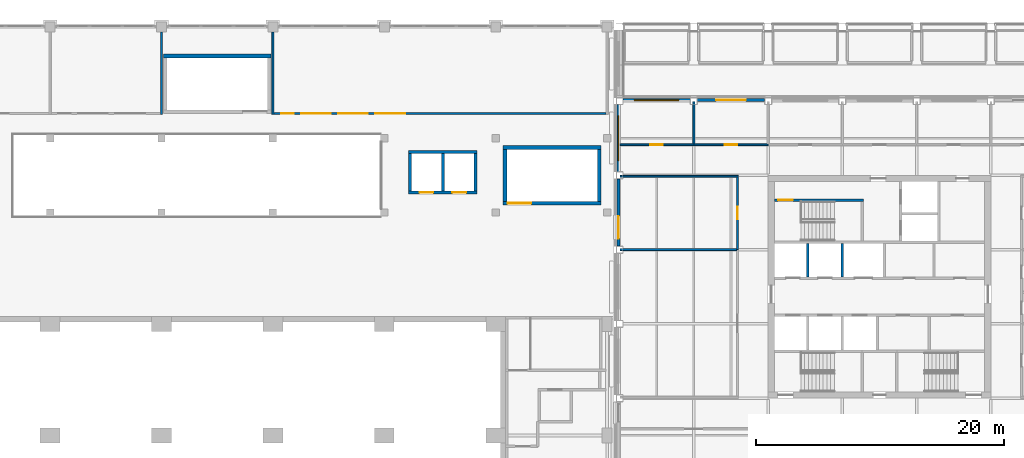
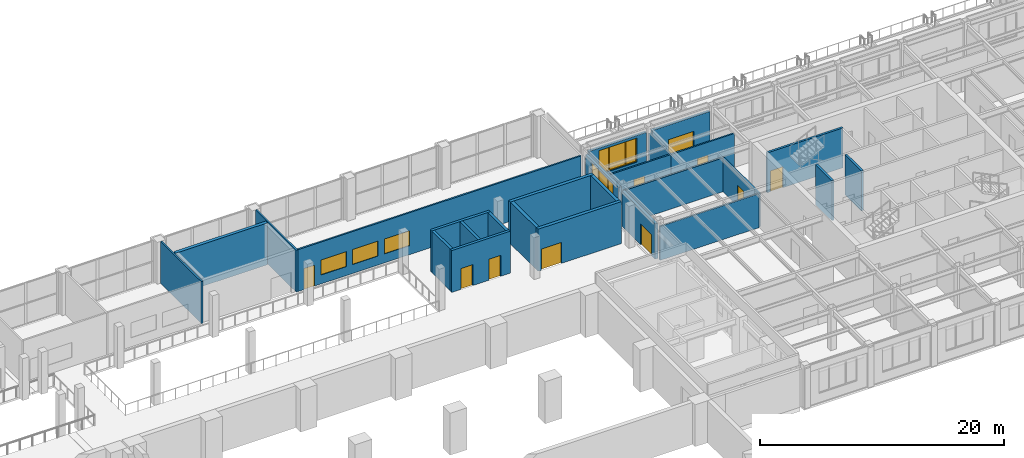
# One storey, part 24 of 39: 26 walls, 10 doors, 5 windows, 15 openings.
"""IFC4 building model written with IfcOpenShell, lengths in metres."""

from ifc_helpers import new_model, si_unit, direction, frame, frame_2d, origin, place, context, subcontext, project, spatial, polyline, rectangle, outline, extrude, material, layer, layer_set, type_object, element, fill, save


model = new_model("IFC4")

# Units and contexts
model_context = context("Model", 3, precision=1e-05, world=origin(), true_north=direction((0.0, 1.0)))
body_context = subcontext(model_context, "Body", "Model", "MODEL_VIEW")
ifc_project = project(units=[si_unit("LENGTHUNIT", "METRE"), si_unit("AREAUNIT", "SQUARE_METRE"), si_unit("VOLUMEUNIT", "CUBIC_METRE"), si_unit("PLANEANGLEUNIT", "RADIAN"), si_unit("MASSUNIT", "GRAM", prefix="KILO")], contexts=[model_context])

# Site, building, storey
site_placement = place(None, origin())
site = spatial("IfcSite", under=ifc_project, at=site_placement, CompositionType="ELEMENT")
building_placement = place(site_placement, origin())
building = spatial("IfcBuilding", under=site, at=building_placement, Name="Aravalli Gate Trade Fair Centre", CompositionType="ELEMENT")
storey_placement = place(building_placement, frame((0.0, 0.0, 15.0)))
storey = spatial("IfcBuildingStorey", under=building, at=storey_placement, Name="L03", CompositionType="ELEMENT", Elevation=15.0)

# Wall
ifc_material_1 = material(Name="Gypsum board")
ifc_layer_1 = layer(ifc_material_1, 0.02490234375, Name="Gypsum board lining")
ifc_material_2 = material(Name="Galvanised stud framing")
ifc_layer_2 = layer(ifc_material_2, 0.10009765625, Name="Stud framing")
ifc_layer_3 = layer(ifc_material_1, 0.02490234375, Name="Gypsum board lining")
ifc_layer_set_1 = layer_set([ifc_layer_1, ifc_layer_2, ifc_layer_3], Name="Partition wall 150")
wall_type_1 = type_object("IfcWallType", Name="Partition wall 150", PredefinedType="PARTITIONING", material=ifc_layer_set_1)
wall_1_placement = place(storey_placement, frame((123.0, 125.925048828125, 0.0), z_axis=(0.0, 0.0, 1.0), x_axis=(0.0, 1.0, 0.0)))
element("IfcWall", 1, at=wall_1_placement, inside=storey, type_object=wall_type_1, Name="Partition 12300 L03", PredefinedType="PARTITIONING", context=body_context, shape_type="SweptSolid", body=[
    extrude(rectangle(XDim=6.675048828125, YDim=0.14990234375, at=frame_2d((3.33740234375, 0.0))), origin(), (0.0, 0.0, 1.0), 4.199951171875),
])

# Wall, openings, windows, door
wall_2_placement = place(storey_placement, frame((132.074951171875, 126.0, 0.0), z_axis=(0.0, 0.0, 1.0), x_axis=(1.0, 0.0, 0.0)))
wall_2 = element("IfcWall", 2, at=wall_2_placement, inside=storey, type_object=wall_type_1, Name="Partition Organisers' Office south L03", PredefinedType="PARTITIONING", context=body_context, shape_type="SweptSolid", body=[
    extrude(rectangle(XDim=26.85009765625, YDim=0.14990234375, at=frame_2d((13.425048828125, 0.0))), origin(), (0.0, 0.0, 1.0), 4.199951171875),
])
opening_1_placement = place(wall_2_placement, frame((0.60009765625, 0.0, 0.0)))
opening_1 = element("IfcOpeningElement", 3, at=opening_1_placement, cuts=wall_2, Name="Opening C-L03-21", PredefinedType="OPENING", context=body_context, shape_type="SweptSolid", body=[
    extrude(rectangle(XDim=1.0, YDim=2.10009765625, at=frame_2d((0.5, 1.050048828125))), frame((0.0, 0.0849609375, 0.0), z_axis=(0.0, -1.0, 0.0), x_axis=(1.0, 0.0, 0.0)), (0.0, 0.0, 1.0), 0.169921875),
])
opening_2_placement = place(wall_2_placement, frame((2.199951171875, 0.0, 0.89990234375)))
opening_2 = element("IfcOpeningElement", 4, at=opening_2_placement, cuts=wall_2, Name="Opening WI1", PredefinedType="OPENING", context=body_context, shape_type="SweptSolid", body=[
    extrude(rectangle(XDim=2.39990234375, YDim=1.5, at=frame_2d((1.199951171875, 0.75))), frame((0.0, 0.0849609375, 0.0), z_axis=(0.0, -1.0, 0.0), x_axis=(1.0, 0.0, 0.0)), (0.0, 0.0, 1.0), 0.169921875),
])
opening_3_placement = place(wall_2_placement, frame((5.199951171875, 0.0, 0.89990234375)))
opening_3 = element("IfcOpeningElement", 5, at=opening_3_placement, cuts=wall_2, Name="Opening WI1", PredefinedType="OPENING", context=body_context, shape_type="SweptSolid", body=[
    extrude(rectangle(XDim=2.39990234375, YDim=1.5, at=frame_2d((1.199951171875, 0.75))), frame((0.0, 0.0849609375, 0.0), z_axis=(0.0, -1.0, 0.0), x_axis=(1.0, 0.0, 0.0)), (0.0, 0.0, 1.0), 0.169921875),
])
opening_4_placement = place(wall_2_placement, frame((8.199951171875, 0.0, 0.89990234375)))
opening_4 = element("IfcOpeningElement", 6, at=opening_4_placement, cuts=wall_2, Name="Opening WI1", PredefinedType="OPENING", context=body_context, shape_type="SweptSolid", body=[
    extrude(rectangle(XDim=2.39990234375, YDim=1.5, at=frame_2d((1.199951171875, 0.75))), frame((0.0, 0.0849609375, 0.0), z_axis=(0.0, -1.0, 0.0), x_axis=(1.0, 0.0, 0.0)), (0.0, 0.0, 1.0), 0.169921875),
])
ifc_material_3 = material(Name="Glass, fire rated", Category="glass")
window_type_1 = type_object("IfcWindowType", Name="Interior glazed screen 2400 x 1500", PartitioningType="SINGLE_PANEL", PredefinedType="WINDOW", material=ifc_material_3)
window_1_placement = place(opening_2_placement, origin())
window_1 = element("IfcWindow", 7, at=window_1_placement, inside=storey, type_object=window_type_1, Name="Interior window Organisers' Office 1 L03", OverallHeight=1.5, OverallWidth=2.39990234375, PartitioningType="SINGLE_PANEL", PredefinedType="WINDOW", context=body_context, shape_type="SweptSolid", body=[
    extrude(rectangle(XDim=2.39990234375, YDim=1.5, at=frame_2d((1.199951171875, 0.75))), frame((0.0, 0.030029296875, 0.0), z_axis=(0.0, -1.0, 0.0), x_axis=(1.0, 0.0, 0.0)), (0.0, 0.0, 1.0), 0.06005859375),
])
fill(opening_2, window_1)
window_2_placement = place(opening_3_placement, origin())
window_2 = element("IfcWindow", 8, at=window_2_placement, inside=storey, type_object=window_type_1, Name="Interior window Organisers' Office 2 L03", OverallHeight=1.5, OverallWidth=2.39990234375, PartitioningType="SINGLE_PANEL", PredefinedType="WINDOW", context=body_context, shape_type="SweptSolid", body=[
    extrude(rectangle(XDim=2.39990234375, YDim=1.5, at=frame_2d((1.199951171875, 0.75))), frame((0.0, 0.030029296875, 0.0), z_axis=(0.0, -1.0, 0.0), x_axis=(1.0, 0.0, 0.0)), (0.0, 0.0, 1.0), 0.06005859375),
])
fill(opening_3, window_2)
window_3_placement = place(opening_4_placement, origin())
window_3 = element("IfcWindow", 9, at=window_3_placement, inside=storey, type_object=window_type_1, Name="Interior window Organisers' Office 3 L03", OverallHeight=1.5, OverallWidth=2.39990234375, PartitioningType="SINGLE_PANEL", PredefinedType="WINDOW", context=body_context, shape_type="SweptSolid", body=[
    extrude(rectangle(XDim=2.39990234375, YDim=1.5, at=frame_2d((1.199951171875, 0.75))), frame((0.0, 0.030029296875, 0.0), z_axis=(0.0, -1.0, 0.0), x_axis=(1.0, 0.0, 0.0)), (0.0, 0.0, 1.0), 0.06005859375),
])
fill(opening_4, window_3)
ifc_material_4 = material(Name="Steel, fire rated", Category="steel")
door_type_1 = type_object("IfcDoorType", Name="Room door 1000 x 2100", OperationType="SINGLE_SWING_RIGHT", PredefinedType="NOTDEFINED", material=ifc_material_4)
door_1_placement = place(opening_1_placement, frame((1.0, 0.0, 0.0), z_axis=(0.0, 0.0, 1.0), x_axis=(-1.0, 0.0, 0.0)))
door_1 = element("IfcDoor", 10, at=door_1_placement, inside=storey, type_object=door_type_1, Name="Door Organisers' Office L03", OperationType="SINGLE_SWING_RIGHT", OverallHeight=2.10009765625, OverallWidth=1.0, PredefinedType="NOTDEFINED", context=body_context, shape_type="SweptSolid", body=[
    extrude(rectangle(XDim=1.0, YDim=2.10009765625, at=frame_2d((0.5, 1.050048828125))), frame((0.0, 0.02490234375, 0.0), z_axis=(0.0, -1.0, 0.0), x_axis=(1.0, 0.0, 0.0)), (0.0, 0.0, 1.0), 0.050048828125),
])
fill(opening_1, door_1)

# Wall
wall_3_placement = place(storey_placement, frame((132.0, 125.925048828125, 0.0), z_axis=(0.0, 0.0, 1.0), x_axis=(0.0, 1.0, 0.0)))
element("IfcWall", 11, at=wall_3_placement, inside=storey, type_object=wall_type_1, Name="Partition 13200 L03", PredefinedType="PARTITIONING", context=body_context, shape_type="SweptSolid", body=[
    extrude(rectangle(XDim=6.675048828125, YDim=0.14990234375, at=frame_2d((3.33740234375, 0.0))), origin(), (0.0, 0.0, 1.0), 4.199951171875),
])

# Wall, openings, doors
ifc_material_5 = material(Name="Concrete M40", Category="concrete")
ifc_layer_4 = layer(ifc_material_5, 0.25)
ifc_layer_set_2 = layer_set([ifc_layer_4], Name="Concrete M40")
wall_type_2 = type_object("IfcWallType", Name="RC core wall 250", PredefinedType="SHEAR", material=ifc_layer_set_2)
wall_4_placement = place(storey_placement, frame((142.949951171875, 119.625, 0.0), z_axis=(0.0, 0.0, 1.0), x_axis=(1.0, 0.0, 0.0)))
wall_4 = element("IfcWall", 12, at=wall_4_placement, inside=storey, type_object=wall_type_2, Name="Core wall ELS L03", PredefinedType="SHEAR", context=body_context, shape_type="SweptSolid", body=[
    extrude(rectangle(XDim=5.550048828125, YDim=0.25, at=frame_2d((2.77490234375, 0.0))), origin(), (0.0, 0.0, 1.0), 4.199951171875),
])
opening_5_placement = place(wall_4_placement, frame((0.89990234375, 0.0, 0.0)))
opening_5 = element("IfcOpeningElement", 13, at=opening_5_placement, cuts=wall_4, Name="Opening C-L03-05", PredefinedType="OPENING", context=body_context, shape_type="SweptSolid", body=[
    extrude(rectangle(XDim=1.10009765625, YDim=2.10009765625, at=frame_2d((0.550048828125, 1.050048828125))), frame((0.0, 0.135009765625, 0.0), z_axis=(0.0, -1.0, 0.0), x_axis=(1.0, 0.0, 0.0)), (0.0, 0.0, 1.0), 0.27001953125),
])
opening_6_placement = place(wall_4_placement, frame((3.550048828125, 0.0, 0.0)))
opening_6 = element("IfcOpeningElement", 14, at=opening_6_placement, cuts=wall_4, Name="Opening C-L03-06", PredefinedType="OPENING", context=body_context, shape_type="SweptSolid", body=[
    extrude(rectangle(XDim=1.10009765625, YDim=2.10009765625, at=frame_2d((0.550048828125, 1.050048828125))), frame((0.0, 0.135009765625, 0.0), z_axis=(0.0, -1.0, 0.0), x_axis=(1.0, 0.0, 0.0)), (0.0, 0.0, 1.0), 0.27001953125),
])
door_type_2 = type_object("IfcDoorType", Name="Concourse lift landing door 1100 x 2100", OperationType="DOUBLE_DOOR_SLIDING", PredefinedType="NOTDEFINED", material=ifc_material_4)
door_2_placement = place(opening_5_placement, origin())
door_2 = element("IfcDoor", 15, at=door_2_placement, inside=storey, type_object=door_type_2, Name="Lift landing door EL1 L03", OperationType="DOUBLE_DOOR_SLIDING", OverallHeight=2.10009765625, OverallWidth=1.10009765625, PredefinedType="NOTDEFINED", context=body_context, shape_type="SweptSolid", body=[
    extrude(rectangle(XDim=1.10009765625, YDim=2.10009765625, at=frame_2d((0.550048828125, 1.050048828125))), frame((0.0, 0.02490234375, 0.0), z_axis=(0.0, -1.0, 0.0), x_axis=(1.0, 0.0, 0.0)), (0.0, 0.0, 1.0), 0.050048828125),
])
fill(opening_5, door_2)
door_3_placement = place(opening_6_placement, origin())
door_3 = element("IfcDoor", 16, at=door_3_placement, inside=storey, type_object=door_type_2, Name="Lift landing door EL2 L03", OperationType="DOUBLE_DOOR_SLIDING", OverallHeight=2.10009765625, OverallWidth=1.10009765625, PredefinedType="NOTDEFINED", context=body_context, shape_type="SweptSolid", body=[
    extrude(rectangle(XDim=1.10009765625, YDim=2.10009765625, at=frame_2d((0.550048828125, 1.050048828125))), frame((0.0, 0.02490234375, 0.0), z_axis=(0.0, -1.0, 0.0), x_axis=(1.0, 0.0, 0.0)), (0.0, 0.0, 1.0), 0.050048828125),
])
fill(opening_6, door_3)

# Walls
wall_5_placement = place(storey_placement, frame((142.949951171875, 122.875, 0.0), z_axis=(0.0, 0.0, 1.0), x_axis=(1.0, 0.0, 0.0)))
element("IfcWall", 17, at=wall_5_placement, inside=storey, type_object=wall_type_2, Name="Core wall ELN L03", PredefinedType="SHEAR", context=body_context, shape_type="SweptSolid", body=[
    extrude(rectangle(XDim=5.550048828125, YDim=0.25, at=frame_2d((2.77490234375, 0.0))), origin(), (0.0, 0.0, 1.0), 4.199951171875),
])
for number, where, z_axis, x_axis, name in (
    (18, (143.074951171875, 119.75, 0.0), (0.0, 0.0, 1.0), (0.0, 1.0, 0.0), "Core wall ELW L03"),
    (19, (148.375, 119.75, 0.0), (0.0, 0.0, 1.0), (0.0, 1.0, 0.0), "Core wall ELE L03"),
    (20, (145.72509765625, 119.75, 0.0), (0.0, 0.0, 1.0), (0.0, 1.0, 0.0), "Core wall ELM L03"),
):
    element("IfcWall", number, at=place(storey_placement, frame(where, z_axis=z_axis, x_axis=x_axis)), inside=storey, type_object=wall_type_2, Name=name, PredefinedType="SHEAR", context=body_context, shape_type="SweptSolid", body=[
        extrude(rectangle(XDim=3.0, YDim=0.25, at=frame_2d((1.5, 0.0))), origin(), (0.0, 0.0, 1.0), 4.199951171875),
    ])

# Wall, opening, door
ifc_layer_5 = layer(ifc_material_5, 0.300048828125)
ifc_layer_set_3 = layer_set([ifc_layer_5], Name="Concrete M40")
wall_type_3 = type_object("IfcWallType", Name="RC core wall 300", PredefinedType="SHEAR", material=ifc_layer_set_3)
wall_6_placement = place(storey_placement, frame((150.60009765625, 118.75, 0.0), z_axis=(0.0, 0.0, 1.0), x_axis=(1.0, 0.0, 0.0)))
wall_6 = element("IfcWall", 21, at=wall_6_placement, inside=storey, type_object=wall_type_3, Name="Core wall ESS L03", PredefinedType="SHEAR", context=body_context, shape_type="SweptSolid", body=[
    extrude(rectangle(XDim=7.89990234375, YDim=0.300048828125, at=frame_2d((3.949951171875, 0.0))), origin(), (0.0, 0.0, 1.0), 4.199951171875),
])
opening_7_placement = place(wall_6_placement, frame((0.35009765625, 0.0, 0.0)))
opening_7 = element("IfcOpeningElement", 22, at=opening_7_placement, cuts=wall_6, Name="Opening C-L03-04", PredefinedType="OPENING", context=body_context, shape_type="SweptSolid", body=[
    extrude(rectangle(XDim=1.89990234375, YDim=2.10009765625, at=frame_2d((0.949951171875, 1.050048828125))), frame((0.0, 0.159912109375, 0.0), z_axis=(0.0, -1.0, 0.0), x_axis=(1.0, 0.0, 0.0)), (0.0, 0.0, 1.0), 0.320068359375),
])
door_type_3 = type_object("IfcDoorType", Name="Concourse stair door 1900 x 2100", OperationType="DOUBLE_DOOR_SINGLE_SWING", PredefinedType="NOTDEFINED", material=ifc_material_4)
door_4_placement = place(opening_7_placement, frame((1.89990234375, 0.0, 0.0), z_axis=(0.0, 0.0, 1.0), x_axis=(-1.0, 0.0, 0.0)))
door_4 = element("IfcDoor", 23, at=door_4_placement, inside=storey, type_object=door_type_3, Name="Stair door ES L03", OperationType="DOUBLE_DOOR_SINGLE_SWING", OverallHeight=2.10009765625, OverallWidth=1.89990234375, PredefinedType="NOTDEFINED", context=body_context, shape_type="SweptSolid", body=[
    extrude(rectangle(XDim=1.89990234375, YDim=2.10009765625, at=frame_2d((0.949951171875, 1.050048828125))), frame((0.0, 0.02490234375, 0.0), z_axis=(0.0, -1.0, 0.0), x_axis=(1.0, 0.0, 0.0)), (0.0, 0.0, 1.0), 0.050048828125),
])
fill(opening_7, door_4)

# Walls
wall_7_placement = place(storey_placement, frame((150.60009765625, 123.25, 0.0), z_axis=(0.0, 0.0, 1.0), x_axis=(1.0, 0.0, 0.0)))
element("IfcWall", 24, at=wall_7_placement, inside=storey, type_object=wall_type_3, Name="Core wall ESN L03", PredefinedType="SHEAR", context=body_context, shape_type="SweptSolid", body=[
    extrude(rectangle(XDim=7.89990234375, YDim=0.300048828125, at=frame_2d((3.949951171875, 0.0))), origin(), (0.0, 0.0, 1.0), 4.199951171875),
])
for number, where, z_axis, x_axis, name in (
    (25, (150.75, 118.89990234375, 0.0), (0.0, 0.0, 1.0), (0.0, 1.0, 0.0), "Core wall ESW L03"),
    (26, (158.35009765625, 118.89990234375, 0.0), (0.0, 0.0, 1.0), (0.0, 1.0, 0.0), "Core wall ESE L03"),
):
    element("IfcWall", number, at=place(storey_placement, frame(where, z_axis=z_axis, x_axis=x_axis)), inside=storey, type_object=wall_type_3, Name=name, PredefinedType="SHEAR", context=body_context, shape_type="SweptSolid", body=[
        extrude(rectangle(XDim=4.2001953125, YDim=0.300048828125, at=frame_2d((2.10009765625, 0.0))), origin(), (0.0, 0.0, 1.0), 4.199951171875),
    ])
wall_8_placement = place(storey_placement, frame((123.14990234375, 130.64990234375, 0.0), z_axis=(0.0, 0.0, 1.0), x_axis=(1.0, 0.0, 0.0)))
element("IfcWall", 27, at=wall_8_placement, inside=storey, type_object=wall_type_3, Name="Core wall XEN L03", PredefinedType="SHEAR", context=body_context, shape_type="SweptSolid", body=[
    extrude(rectangle(XDim=8.7001953125, YDim=0.300048828125, at=frame_2d((4.35009765625, 0.0))), origin(), (0.0, 0.0, 1.0), 4.199951171875),
])

# Wall, opening, door
ifc_material_6 = material(Name="Concrete M30", Category="concrete")
ifc_layer_6 = layer(ifc_material_6, 0.199951171875)
ifc_layer_set_4 = layer_set([ifc_layer_6], Name="Concrete M30")
wall_type_4 = type_object("IfcWallType", Name="Wing core internal wall 200 (EI 120, firefighting shaft)", PredefinedType="SOLIDWALL", material=ifc_layer_set_4)
wall_9_placement = place(storey_placement, frame((172.5, 119.0, 0.0), z_axis=(0.0, 0.0, 1.0), x_axis=(1.0, 0.0, 0.0)))
wall_9 = element("IfcWall", 28, at=wall_9_placement, inside=storey, type_object=wall_type_4, Name="Core wall FF-N L03", PredefinedType="SOLIDWALL", context=body_context, shape_type="SweptSolid", body=[
    extrude(rectangle(XDim=7.199951171875, YDim=0.199951171875, at=frame_2d((3.60009765625, 0.0))), origin(), (0.0, 0.0, 1.0), 4.0),
])
opening_8_placement = place(wall_9_placement, frame((0.300048828125, 0.0, 0.0)))
opening_8 = element("IfcOpeningElement", 29, at=opening_8_placement, cuts=wall_9, Name="Opening T-L03-131", PredefinedType="OPENING", context=body_context, shape_type="SweptSolid", body=[
    extrude(rectangle(XDim=1.199951171875, YDim=2.10009765625, at=frame_2d((0.60009765625, 1.050048828125))), frame((0.0, 0.10986328125, 0.0), z_axis=(0.0, -1.0, 0.0), x_axis=(1.0, 0.0, 0.0)), (0.0, 0.0, 1.0), 0.219970703125),
])
door_type_4 = type_object("IfcDoorType", Name="Wing fire door FD120 1200 x 2100", OperationType="SINGLE_SWING_LEFT", PredefinedType="DOOR", material=ifc_material_4)
door_5_placement = place(opening_8_placement, frame((1.199951171875, 0.0, 0.0), z_axis=(0.0, 0.0, 1.0), x_axis=(-1.0, 0.0, 0.0)))
door_5 = element("IfcDoor", 30, at=door_5_placement, inside=storey, type_object=door_type_4, Name="Core door T-L03-131", OperationType="SINGLE_SWING_RIGHT", OverallHeight=2.10009765625, OverallWidth=1.199951171875, PredefinedType="DOOR", context=body_context, shape_type="SweptSolid", body=[
    extrude(rectangle(XDim=1.199951171875, YDim=2.10009765625, at=frame_2d((0.60009765625, 1.050048828125))), frame((0.0, 0.02490234375, 0.0), z_axis=(0.0, -1.0, 0.0), x_axis=(1.0, 0.0, 0.0)), (0.0, 0.0, 1.0), 0.050048828125),
])
fill(opening_8, door_5)

# Walls
ifc_layer_7 = layer(ifc_material_6, 0.199951171875)
ifc_layer_set_5 = layer_set([ifc_layer_7], Name="Concrete M30")
wall_type_5 = type_object("IfcWallType", Name="Wing core internal wall 200 (EI 120, lift shaft)", PredefinedType="SOLIDWALL", material=ifc_layer_set_5)
for number, where, z_axis, x_axis, name in (
    (31, (175.199951171875, 112.800048828125, 0.0), (0.0, 0.0, 1.0), (0.0, 1.0, 0.0), "Core wall NB-3.2 L03"),
    (32, (178.0, 112.800048828125, 0.0), (0.0, 0.0, 1.0), (0.0, 1.0, 0.0), "Core wall NB-6.0 L03"),
):
    element("IfcWall", number, at=place(storey_placement, frame(where, z_axis=z_axis, x_axis=x_axis)), inside=storey, type_object=wall_type_5, Name=name, PredefinedType="SOLIDWALL", context=body_context, shape_type="SweptSolid", body=[
        extrude(rectangle(XDim=2.699951171875, YDim=0.199951171875, at=frame_2d((1.35009765625, 0.0))), origin(), (0.0, 0.0, 1.0), 4.0),
    ])

# Wall, opening, door
ifc_material_7 = material(Name="Blockwork with fire-rated lining", Category="masonry")
ifc_layer_8 = layer(ifc_material_7, 0.14990234375)
ifc_layer_set_6 = layer_set([ifc_layer_8], Name="Blockwork with fire-rated lining")
wall_type_6 = type_object("IfcWallType", Name="Wing partition 150 (EI 60, corridor wall)", PredefinedType="PARTITIONING", material=ifc_layer_set_6)
wall_10_placement = place(storey_placement, frame((160.050048828125, 123.47509765625, 0.0), z_axis=(0.0, 0.0, 1.0), x_axis=(1.0, 0.0, 0.0)))
wall_10 = element("IfcWall", 33, at=wall_10_placement, inside=storey, type_object=wall_type_6, Name="Partition NW1 L03", PredefinedType="PARTITIONING", context=body_context, shape_type="SweptSolid", body=[
    extrude(rectangle(XDim=5.949951171875, YDim=0.14990234375, at=frame_2d((2.97509765625, 0.0))), origin(), (0.0, 0.0, 1.0), 3.39990234375),
])
opening_9_placement = place(wall_10_placement, frame((2.4375, 0.0, 0.0)))
opening_9 = element("IfcOpeningElement", 34, at=opening_9_placement, cuts=wall_10, Name="Opening T-L03-146", PredefinedType="OPENING", context=body_context, shape_type="SweptSolid", body=[
    extrude(rectangle(XDim=1.0, YDim=2.10009765625, at=frame_2d((0.5, 1.050048828125))), frame((0.0, 0.0849609375, 0.0), z_axis=(0.0, -1.0, 0.0), x_axis=(1.0, 0.0, 0.0)), (0.0, 0.0, 1.0), 0.169921875),
])
door_type_5 = type_object("IfcDoorType", Name="Wing fire door FD60 1000 x 2100", OperationType="SINGLE_SWING_LEFT", PredefinedType="DOOR", material=ifc_material_4)
door_6_placement = place(opening_9_placement, origin())
door_6 = element("IfcDoor", 35, at=door_6_placement, inside=storey, type_object=door_type_5, Name="Door T-L03-146", OperationType="SINGLE_SWING_RIGHT", OverallHeight=2.10009765625, OverallWidth=1.0, PredefinedType="DOOR", context=body_context, shape_type="SweptSolid", body=[
    extrude(rectangle(XDim=1.0, YDim=2.10009765625, at=frame_2d((0.5, 1.050048828125))), frame((0.0, 0.02490234375, 0.0), z_axis=(0.0, -1.0, 0.0), x_axis=(1.0, 0.0, 0.0)), (0.0, 0.0, 1.0), 0.050048828125),
])
fill(opening_9, door_6)

# Wall
wall_11_placement = place(storey_placement, frame((166.0, 123.550048828125, 0.0), z_axis=(0.0, 0.0, 1.0), x_axis=(0.0, 1.0, 0.0)))
element("IfcWall", 36, at=wall_11_placement, inside=storey, type_object=wall_type_6, Name="Partition NP1 L03", PredefinedType="PARTITIONING", context=body_context, shape_type="SweptSolid", body=[
    extrude(rectangle(XDim=3.39990234375, YDim=0.14990234375, at=frame_2d((1.699951171875, 0.0))), origin(), (0.0, 0.0, 1.0), 3.39990234375),
])

# Wall, opening, door
wall_12_placement = place(storey_placement, frame((166.0, 123.47509765625, 0.0), z_axis=(0.0, 0.0, 1.0), x_axis=(1.0, 0.0, 0.0)))
wall_12 = element("IfcWall", 37, at=wall_12_placement, inside=storey, type_object=wall_type_6, Name="Partition NW2 L03", PredefinedType="PARTITIONING", context=body_context, shape_type="SweptSolid", body=[
    extrude(rectangle(XDim=6.0, YDim=0.14990234375, at=frame_2d((3.0, 0.0))), origin(), (0.0, 0.0, 1.0), 3.39990234375),
])
opening_10_placement = place(wall_12_placement, frame((2.5, 0.0, 0.0)))
opening_10 = element("IfcOpeningElement", 38, at=opening_10_placement, cuts=wall_12, Name="Opening T-L03-147", PredefinedType="OPENING", context=body_context, shape_type="SweptSolid", body=[
    extrude(rectangle(XDim=1.0, YDim=2.10009765625, at=frame_2d((0.5, 1.050048828125))), frame((0.0, 0.0849609375, 0.0), z_axis=(0.0, -1.0, 0.0), x_axis=(1.0, 0.0, 0.0)), (0.0, 0.0, 1.0), 0.169921875),
])
door_7_placement = place(opening_10_placement, origin())
door_7 = element("IfcDoor", 39, at=door_7_placement, inside=storey, type_object=door_type_5, Name="Door T-L03-147", OperationType="SINGLE_SWING_LEFT", OverallHeight=2.10009765625, OverallWidth=1.0, PredefinedType="DOOR", context=body_context, shape_type="SweptSolid", body=[
    extrude(rectangle(XDim=1.0, YDim=2.10009765625, at=frame_2d((0.5, 1.050048828125))), frame((0.0, 0.02490234375, 0.0), z_axis=(0.0, -1.0, 0.0), x_axis=(1.0, 0.0, 0.0)), (0.0, 0.0, 1.0), 0.050048828125),
])
fill(opening_10, door_7)

# Wall
wall_13_placement = place(storey_placement, frame((160.050048828125, 115.0, 0.0), z_axis=(0.0, 0.0, 1.0), x_axis=(1.0, 0.0, 0.0)))
element("IfcWall", 40, at=wall_13_placement, inside=storey, type_object=wall_type_6, Name="Partition WP1 L03", PredefinedType="PARTITIONING", context=body_context, shape_type="SweptSolid", body=[
    extrude(rectangle(XDim=9.39990234375, YDim=0.14990234375, at=frame_2d((4.699951171875, 0.0))), origin(), (0.0, 0.0, 1.0), 3.39990234375),
])

# Wall, opening, door
wall_14_placement = place(storey_placement, frame((169.52490234375, 115.0, 0.0), z_axis=(0.0, 0.0, 1.0), x_axis=(0.0, 1.0, 0.0)))
wall_14 = element("IfcWall", 41, at=wall_14_placement, inside=storey, type_object=wall_type_6, Name="Partition WW2 L03", PredefinedType="PARTITIONING", context=body_context, shape_type="SweptSolid", body=[
    extrude(rectangle(XDim=5.85009765625, YDim=0.14990234375, at=frame_2d((2.925048828125, 0.0))), origin(), (0.0, 0.0, 1.0), 3.39990234375),
])
opening_11_placement = place(wall_14_placement, frame((2.46240234375, 0.0, 0.0)))
opening_11 = element("IfcOpeningElement", 42, at=opening_11_placement, cuts=wall_14, Name="Opening T-L03-154", PredefinedType="OPENING", context=body_context, shape_type="SweptSolid", body=[
    extrude(rectangle(XDim=1.0, YDim=2.10009765625, at=frame_2d((0.5, 1.050048828125))), frame((0.0, 0.0849609375, 0.0), z_axis=(0.0, -1.0, 0.0), x_axis=(1.0, 0.0, 0.0)), (0.0, 0.0, 1.0), 0.169921875),
])
door_8_placement = place(opening_11_placement, origin())
door_8 = element("IfcDoor", 43, at=door_8_placement, inside=storey, type_object=door_type_5, Name="Door T-L03-154", OperationType="SINGLE_SWING_RIGHT", OverallHeight=2.10009765625, OverallWidth=1.0, PredefinedType="DOOR", context=body_context, shape_type="SweptSolid", body=[
    extrude(rectangle(XDim=1.0, YDim=2.10009765625, at=frame_2d((0.5, 1.050048828125))), frame((0.0, 0.02490234375, 0.0), z_axis=(0.0, -1.0, 0.0), x_axis=(1.0, 0.0, 0.0)), (0.0, 0.0, 1.0), 0.050048828125),
])
fill(opening_11, door_8)

# Wall
wall_15_placement = place(storey_placement, frame((160.050048828125, 120.925048828125, 0.0), z_axis=(0.0, 0.0, 1.0), x_axis=(1.0, 0.0, 0.0)))
element("IfcWall", 44, at=wall_15_placement, inside=storey, type_object=wall_type_6, Name="Partition CL-NW L03", PredefinedType="PARTITIONING", context=body_context, shape_type="SweptSolid", body=[
    extrude(rectangle(XDim=9.550048828125, YDim=0.14990234375, at=frame_2d((4.77490234375, 0.0))), origin(), (0.0, 0.0, 1.0), 3.39990234375),
])

# Wall, opening, window
ifc_material_8 = material(Name="Concrete block masonry", Category="masonry")
ifc_layer_9 = layer(ifc_material_8, 0.2099609375, Name="Block masonry")
ifc_material_9 = material(Name="Terracotta cladding", Category="masonry")
ifc_layer_10 = layer(ifc_material_9, 0.0400390625, Name="Terracotta cladding")
ifc_layer_set_7 = layer_set([ifc_layer_9, ifc_layer_10], Name="Wing terracotta clad infill wall 250")
wall_type_7 = type_object("IfcWallType", Name="Wing terracotta clad infill wall 250", PredefinedType="SOLIDWALL", material=ifc_layer_set_7)
wall_16_placement = place(storey_placement, frame((160.27490234375, 127.074951171875, 0.0), z_axis=(0.0, 0.0, 1.0), x_axis=(1.0, 0.0, 0.0)))
wall_16 = element("IfcWall", 45, at=wall_16_placement, inside=storey, type_object=wall_type_7, Name="Facade wall N0 L03", PredefinedType="SOLIDWALL", context=body_context, shape_type="SweptSolid", body=[
    extrude(rectangle(XDim=5.4501953125, YDim=0.25, at=frame_2d((2.72509765625, 0.0))), origin(), (0.0, 0.0, 1.0), 3.550048828125),
])
opening_12_placement = place(wall_16_placement, frame((0.925048828125, 0.0, 0.89990234375)))
opening_12 = element("IfcOpeningElement", 46, at=opening_12_placement, cuts=wall_16, Name="Opening TWN1", PredefinedType="OPENING", context=body_context, shape_type="SweptSolid", body=[
    extrude(rectangle(XDim=3.60009765625, YDim=2.39990234375, at=frame_2d((1.800048828125, 1.199951171875))), frame((0.0, 0.135009765625, 0.0), z_axis=(0.0, -1.0, 0.0), x_axis=(1.0, 0.0, 0.0)), (0.0, 0.0, 1.0), 0.27001953125),
])
ifc_material_10 = material(Name="Aluminium and glass", Category="aluminium")
window_type_2 = type_object("IfcWindowType", Name="Wing chicago window 3600 x 2400", PartitioningType="TRIPLE_PANEL_VERTICAL", PredefinedType="WINDOW", material=ifc_material_10)
window_4_placement = place(opening_12_placement, origin())
window_4 = element("IfcWindow", 47, at=window_4_placement, inside=storey, type_object=window_type_2, Name="Window N0 L03", OverallHeight=2.39990234375, OverallWidth=3.60009765625, PartitioningType="TRIPLE_PANEL_VERTICAL", PredefinedType="WINDOW", context=body_context, shape_type="SweptSolid", body=[
    extrude(outline(polyline([(0.0, 0.0), (3.60009765625, 0.0), (3.60009765625, 2.39990234375), (0.0, 2.39990234375), (0.0, 0.0)]), holes=[polyline([(0.06005859375, 0.06005859375), (0.9599609375, 0.06005859375), (0.9599609375, 2.33984375), (0.06005859375, 2.33984375), (0.06005859375, 0.06005859375)]), polyline([(1.06005859375, 0.06005859375), (2.539794921875, 0.06005859375), (2.539794921875, 2.33984375), (1.06005859375, 2.33984375), (1.06005859375, 0.06005859375)]), polyline([(2.639892578125, 0.06005859375), (3.539794921875, 0.06005859375), (3.539794921875, 2.33984375), (2.639892578125, 2.33984375), (2.639892578125, 0.06005859375)])]), frame((0.0, 0.030029296875, 0.0), z_axis=(0.0, -1.0, 0.0), x_axis=(1.0, 0.0, 0.0)), (0.0, 0.0, 1.0), 0.06005859375),
    extrude(rectangle(XDim=0.923828125, YDim=2.3037109375, at=frame_2d((0.510009765625, 1.199951171875))), frame((0.0, 0.010009765625, 0.0), z_axis=(0.0, -1.0, 0.0), x_axis=(1.0, 0.0, 0.0)), (0.0, 0.0, 1.0), 0.02001953125),
    extrude(rectangle(XDim=1.503662109375, YDim=2.3037109375, at=frame_2d((1.7998046875, 1.199951171875))), frame((0.0, 0.010009765625, 0.0), z_axis=(0.0, -1.0, 0.0), x_axis=(1.0, 0.0, 0.0)), (0.0, 0.0, 1.0), 0.02001953125),
    extrude(rectangle(XDim=0.923828125, YDim=2.3037109375, at=frame_2d((3.08984375, 1.199951171875))), frame((0.0, 0.010009765625, 0.0), z_axis=(0.0, -1.0, 0.0), x_axis=(1.0, 0.0, 0.0)), (0.0, 0.0, 1.0), 0.02001953125),
])
fill(opening_12, window_4)

# Wall, opening, door
wall_17_placement = place(storey_placement, frame((166.27490234375, 127.074951171875, 0.0), z_axis=(0.0, 0.0, 1.0), x_axis=(1.0, 0.0, 0.0)))
wall_17 = element("IfcWall", 48, at=wall_17_placement, inside=storey, type_object=wall_type_7, Name="Facade wall N1 L03", PredefinedType="SOLIDWALL", context=body_context, shape_type="SweptSolid", body=[
    extrude(rectangle(XDim=5.4501953125, YDim=0.25, at=frame_2d((2.72509765625, 0.0))), origin(), (0.0, 0.0, 1.0), 3.550048828125),
])
opening_13_placement = place(wall_17_placement, frame((1.52490234375, 0.0, 0.0)))
opening_13 = element("IfcOpeningElement", 49, at=opening_13_placement, cuts=wall_17, Name="Opening T-L03-186", PredefinedType="OPENING", context=body_context, shape_type="SweptSolid", body=[
    extrude(rectangle(XDim=2.39990234375, YDim=2.10009765625, at=frame_2d((1.199951171875, 1.050048828125))), frame((0.0, 0.135009765625, 0.0), z_axis=(0.0, -1.0, 0.0), x_axis=(1.0, 0.0, 0.0)), (0.0, 0.0, 1.0), 0.27001953125),
])
door_type_6 = type_object("IfcDoorType", Name="Wing glazed entrance door 2400 x 2100", OperationType="DOUBLE_DOOR_SINGLE_SWING", PredefinedType="DOOR", material=ifc_material_10)
door_9_placement = place(opening_13_placement, origin())
door_9 = element("IfcDoor", 50, at=door_9_placement, inside=storey, type_object=door_type_6, Name="Terrace door T-L03-186", OperationType="DOUBLE_DOOR_SINGLE_SWING", OverallHeight=2.10009765625, OverallWidth=2.39990234375, PredefinedType="DOOR", context=body_context, shape_type="SweptSolid", body=[
    extrude(rectangle(XDim=2.39990234375, YDim=2.10009765625, at=frame_2d((1.199951171875, 1.050048828125))), frame((0.0, 0.02490234375, 0.0), z_axis=(0.0, -1.0, 0.0), x_axis=(1.0, 0.0, 0.0)), (0.0, 0.0, 1.0), 0.050048828125),
])
fill(opening_13, door_9)

ifc_layer_11 = layer(ifc_material_8, 0.2099609375, Name="Block masonry")
ifc_layer_12 = layer(ifc_material_9, 0.0400390625, Name="Terracotta cladding")
ifc_layer_set_8 = layer_set([ifc_layer_11, ifc_layer_12], Name="Wing west closing wall 250")
wall_type_8 = type_object("IfcWallType", Name="Wing west closing wall 250", PredefinedType="SOLIDWALL", material=ifc_layer_set_8)
wall_18_placement = place(storey_placement, frame((159.925048828125, 115.27490234375, 0.0), z_axis=(0.0, 0.0, 1.0), x_axis=(0.0, 1.0, 0.0)))
wall_18 = element("IfcWall", 51, at=wall_18_placement, inside=storey, type_object=wall_type_8, Name="Facade wall W4 L03", PredefinedType="SOLIDWALL", context=body_context, shape_type="SweptSolid", body=[
    extrude(rectangle(XDim=5.4501953125, YDim=0.25, at=frame_2d((2.72509765625, 0.0))), origin(), (0.0, 0.0, 1.0), 3.550048828125),
])
opening_14_placement = place(wall_18_placement, frame((0.625, 0.0, 0.0)))
opening_14 = element("IfcOpeningElement", 52, at=opening_14_placement, cuts=wall_18, Name="Opening T-L03-182", PredefinedType="OPENING", context=body_context, shape_type="SweptSolid", body=[
    extrude(rectangle(XDim=1.800048828125, YDim=2.10009765625, at=frame_2d((0.89990234375, 1.050048828125))), frame((0.0, 0.135009765625, 0.0), z_axis=(0.0, -1.0, 0.0), x_axis=(1.0, 0.0, 0.0)), (0.0, 0.0, 1.0), 0.27001953125),
])
door_type_7 = type_object("IfcDoorType", Name="Wing fire door FD120 1800 x 2100", OperationType="DOUBLE_DOOR_SINGLE_SWING", PredefinedType="DOOR", material=ifc_material_4)
door_10_placement = place(opening_14_placement, origin())
door_10 = element("IfcDoor", 53, at=door_10_placement, inside=storey, type_object=door_type_7, Name="Door T-L03-182", OperationType="DOUBLE_DOOR_SINGLE_SWING", OverallHeight=2.10009765625, OverallWidth=1.800048828125, PredefinedType="DOOR", context=body_context, shape_type="SweptSolid", body=[
    extrude(rectangle(XDim=1.800048828125, YDim=2.10009765625, at=frame_2d((0.89990234375, 1.050048828125))), frame((0.0, 0.02490234375, 0.0), z_axis=(0.0, -1.0, 0.0), x_axis=(1.0, 0.0, 0.0)), (0.0, 0.0, 1.0), 0.050048828125),
])
fill(opening_14, door_10)

# Wall, opening, window
wall_19_placement = place(storey_placement, frame((159.925048828125, 121.27490234375, 0.0), z_axis=(0.0, 0.0, 1.0), x_axis=(0.0, 1.0, 0.0)))
wall_19 = element("IfcWall", 54, at=wall_19_placement, inside=storey, type_object=wall_type_8, Name="Facade wall W5 L03", PredefinedType="SOLIDWALL", context=body_context, shape_type="SweptSolid", body=[
    extrude(rectangle(XDim=5.4501953125, YDim=0.25, at=frame_2d((2.72509765625, 0.0))), origin(), (0.0, 0.0, 1.0), 3.550048828125),
])
opening_15_placement = place(wall_19_placement, frame((0.925048828125, 0.0, 0.89990234375)))
opening_15 = element("IfcOpeningElement", 55, at=opening_15_placement, cuts=wall_19, Name="Opening TWN1", PredefinedType="OPENING", context=body_context, shape_type="SweptSolid", body=[
    extrude(rectangle(XDim=3.60009765625, YDim=2.39990234375, at=frame_2d((1.800048828125, 1.199951171875))), frame((0.0, 0.135009765625, 0.0), z_axis=(0.0, -1.0, 0.0), x_axis=(1.0, 0.0, 0.0)), (0.0, 0.0, 1.0), 0.27001953125),
])
window_5_placement = place(opening_15_placement, origin())
window_5 = element("IfcWindow", 56, at=window_5_placement, inside=storey, type_object=window_type_2, Name="Window W5 L03", OverallHeight=2.39990234375, OverallWidth=3.60009765625, PartitioningType="TRIPLE_PANEL_VERTICAL", PredefinedType="WINDOW", context=body_context, shape_type="SweptSolid", body=[
    extrude(outline(polyline([(0.0, 0.0), (3.60009765625, 0.0), (3.60009765625, 2.39990234375), (0.0, 2.39990234375), (0.0, 0.0)]), holes=[polyline([(0.06005859375, 0.06005859375), (0.9599609375, 0.06005859375), (0.9599609375, 2.33984375), (0.06005859375, 2.33984375), (0.06005859375, 0.06005859375)]), polyline([(1.06005859375, 0.06005859375), (2.539794921875, 0.06005859375), (2.539794921875, 2.33984375), (1.06005859375, 2.33984375), (1.06005859375, 0.06005859375)]), polyline([(2.639892578125, 0.06005859375), (3.539794921875, 0.06005859375), (3.539794921875, 2.33984375), (2.639892578125, 2.33984375), (2.639892578125, 0.06005859375)])]), frame((0.0, 0.030029296875, 0.0), z_axis=(0.0, -1.0, 0.0), x_axis=(1.0, 0.0, 0.0)), (0.0, 0.0, 1.0), 0.06005859375),
    extrude(rectangle(XDim=0.923828125, YDim=2.3037109375, at=frame_2d((0.510009765625, 1.199951171875))), frame((0.0, 0.010009765625, 0.0), z_axis=(0.0, -1.0, 0.0), x_axis=(1.0, 0.0, 0.0)), (0.0, 0.0, 1.0), 0.02001953125),
    extrude(rectangle(XDim=1.503662109375, YDim=2.3037109375, at=frame_2d((1.7998046875, 1.199951171875))), frame((0.0, 0.010009765625, 0.0), z_axis=(0.0, -1.0, 0.0), x_axis=(1.0, 0.0, 0.0)), (0.0, 0.0, 1.0), 0.02001953125),
    extrude(rectangle(XDim=0.923828125, YDim=2.3037109375, at=frame_2d((3.08984375, 1.199951171875))), frame((0.0, 0.010009765625, 0.0), z_axis=(0.0, -1.0, 0.0), x_axis=(1.0, 0.0, 0.0)), (0.0, 0.0, 1.0), 0.02001953125),
])
fill(opening_15, window_5)

save(model, "model.ifc")
